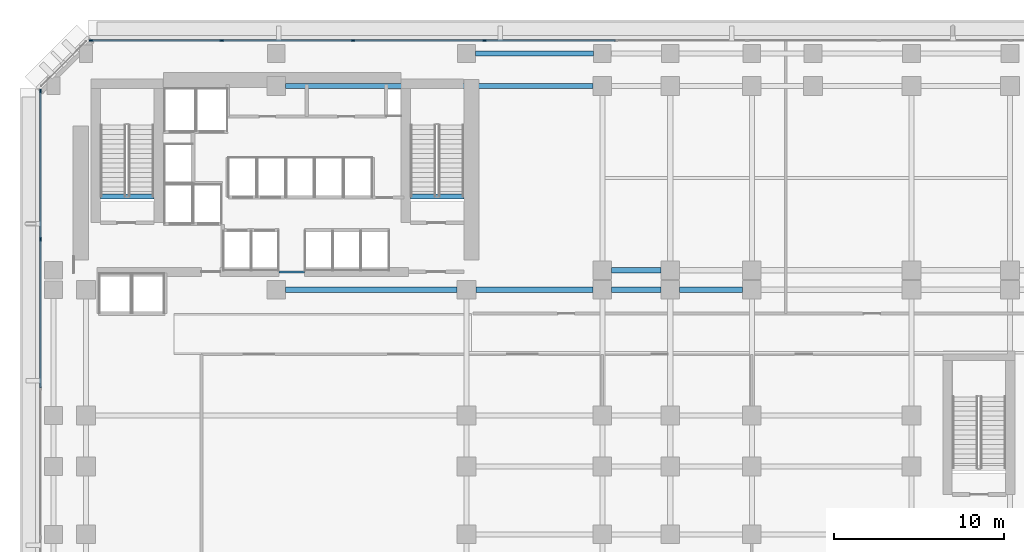
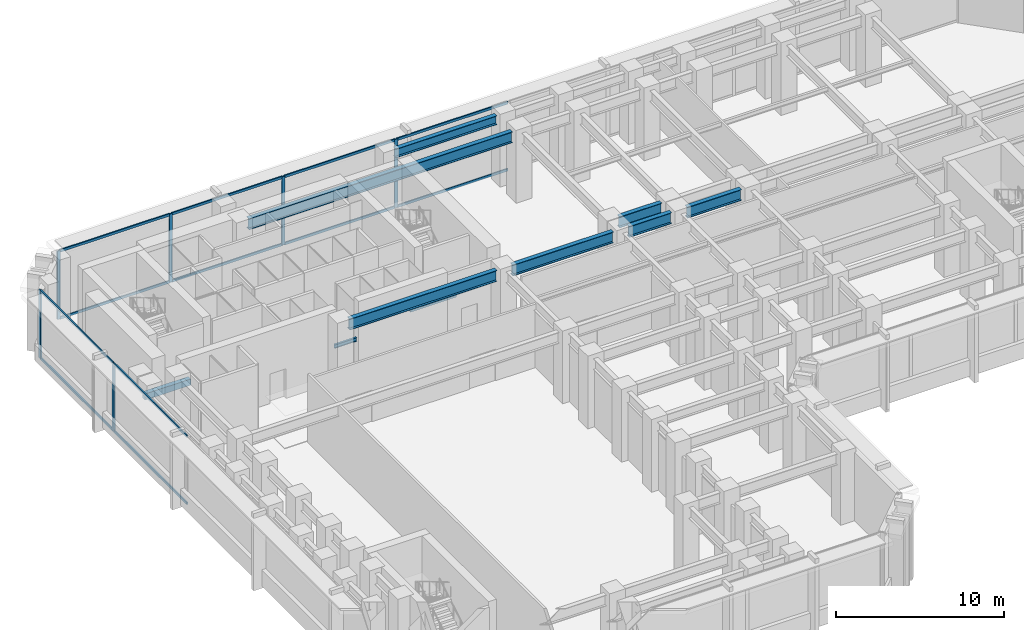
# One storey, part 4 of 16: 18 members, 10 beams, 2 elements without a shape of their own.
"""IFC4 building model written with IfcOpenShell, lengths in metres."""

import ifcopenshell
import ifcopenshell.guid

model = None  # the IFC model being written
_history = None  # IfcOwnerHistory: only IFC2X3 demands one
_inside = {}  # id of a spatial element -> (the spatial element, [elements in it])
_under = {}  # id of a project, library or spatial element -> (it, [spatial elements below it])
_declared = {}  # id of a project -> (the project, [libraries it declares])
_typed = {}  # id of a type object -> (the type object, [elements of that type])
_made_of = {}  # id of a material, layer set ... -> (it, [elements and type objects made of it])


def new_model(schema):
    """Start an empty IFC model of exactly this schema.

    Asked for "IFC4X3", IfcOpenShell would pick the latest addendum, in which some entities
    have other attributes; the version numbers below select the first issue.
    IFC2X3 requires an IfcOwnerHistory on every rooted entity: one is made here for all.
    """
    global model, _history
    if schema == "IFC4X3":
        model = ifcopenshell.file(schema_version=(4, 3, 0, 0))
    else:
        model = ifcopenshell.file(schema=schema)
    _inside.clear()
    _under.clear()
    _declared.clear()
    _typed.clear()
    _made_of.clear()
    _history = None
    if model.schema == "IFC2X3":
        org = make("IfcOrganization", Name="unknown")
        user = make(
            "IfcPersonAndOrganization",
            ThePerson=make("IfcPerson", FamilyName="unknown"),
            TheOrganization=org,
        )
        app = make(
            "IfcApplication",
            ApplicationDeveloper=org,
            Version="unknown",
            ApplicationFullName="unknown",
            ApplicationIdentifier="unknown",
        )
        _history = make(
            "IfcOwnerHistory",
            OwningUser=user,
            OwningApplication=app,
            ChangeAction="ADDED",
            CreationDate=0,
        )
    return model


def make(cls, **values):
    """One entity of the class cls with the attributes given. An attribute that is None is left unset."""
    return model.create_entity(
        cls, **{name: value for name, value in values.items() if value is not None}
    )


def rooted(cls, **values):
    """An entity with a GlobalId (a new one), such as an element, a storey or a relation."""
    return make(cls, GlobalId=ifcopenshell.guid.new(), OwnerHistory=_history, **values)


def si_unit(unit_type, name, prefix=None):
    """IfcSIUnit, for example si_unit("LENGTHUNIT", "METRE", prefix="MILLI")."""
    return make("IfcSIUnit", UnitType=unit_type, Prefix=prefix, Name=name)


def assignment(units):
    """IfcUnitAssignment: the units of a project."""
    return None if units is None else make("IfcUnitAssignment", Units=units)


def point(xyz):
    """IfcCartesianPoint."""
    return None if xyz is None else make("IfcCartesianPoint", Coordinates=xyz)


def direction(xyz):
    """IfcDirection."""
    return None if xyz is None else make("IfcDirection", DirectionRatios=xyz)


def frame(location, z_axis=None, x_axis=None):
    """IfcAxis2Placement3D, a coordinate frame: its origin and axes. An axis left out is left unset."""
    return make(
        "IfcAxis2Placement3D",
        Location=point(location),
        Axis=direction(z_axis),
        RefDirection=direction(x_axis),
    )


def frame_2d(location, x_axis=None):
    """IfcAxis2Placement2D, a coordinate frame in the plane: its origin and x axis."""
    return make(
        "IfcAxis2Placement2D", Location=point(location), RefDirection=direction(x_axis)
    )


def origin():
    """The frame at (0, 0, 0) with its axes left unset."""
    return frame((0.0, 0.0, 0.0))


def origin_2d():
    """The frame at (0, 0) in the plane with its x axis left unset."""
    return frame_2d((0.0, 0.0))


def place(relative_to, where):
    """IfcLocalPlacement: puts the frame where relative to a parent placement (None: the world)."""
    return make(
        "IfcLocalPlacement", PlacementRelTo=relative_to, RelativePlacement=where
    )


def context(
    kind, dimensions, precision=None, world=None, true_north=None, identifier=None
):
    """IfcGeometricRepresentationContext, for example the 3D "Model" context."""
    return make(
        "IfcGeometricRepresentationContext",
        ContextIdentifier=identifier,
        ContextType=kind,
        CoordinateSpaceDimension=dimensions,
        Precision=precision,
        WorldCoordinateSystem=world,
        TrueNorth=true_north,
    )


def subcontext(parent, identifier, kind, view, scale=None):
    """IfcGeometricRepresentationSubContext, for example "Body" below "Model"."""
    return make(
        "IfcGeometricRepresentationSubContext",
        ContextIdentifier=identifier,
        ContextType=kind,
        ParentContext=parent,
        TargetScale=scale,
        TargetView=view,
    )


def project(units=None, contexts=None):
    """IfcProject with its units and contexts."""
    return rooted(
        "IfcProject",
        Name="project",
        RepresentationContexts=contexts,
        UnitsInContext=assignment(units),
    )


def spatial(cls, under=None, at=None, **own):
    """A site, building, storey or space (cls), placed at a placement, below another one or the project."""
    s = rooted(cls, ObjectPlacement=at, **own)
    if under is not None:
        _under.setdefault(under.id(), (under, []))[1].append(s)
    return s


def profile(cls, at=None, kind="AREA", **sizes):
    """A parametric profile (cls). Its sizes go by their IFC names, for example OverallWidth=200.0."""
    return make(cls, ProfileType=kind, Position=at, **sizes)


def rectangle(**sizes):
    """IfcRectangleProfileDef."""
    return profile("IfcRectangleProfileDef", **sizes)


def i_section(**sizes):
    """IfcIShapeProfileDef."""
    return profile("IfcIShapeProfileDef", **sizes)


def extrude(swept, where, along, depth):
    """IfcExtrudedAreaSolid: the profile swept, set in the frame where, extruded along a direction by depth."""
    return make(
        "IfcExtrudedAreaSolid",
        SweptArea=swept,
        Position=where,
        ExtrudedDirection=direction(along),
        Depth=depth,
    )


def shape(context_of_items, identifier, shape_type, items):
    """IfcShapeRepresentation: the items that make up one representation, for example the "Body"."""
    return make(
        "IfcShapeRepresentation",
        ContextOfItems=context_of_items,
        RepresentationIdentifier=identifier,
        RepresentationType=shape_type,
        Items=items,
    )


def material(Name=None, Category=None):
    """IfcMaterial."""
    return make("IfcMaterial", Name=Name, Category=Category)


def layer(
    of_material, thickness, ventilated=None, Name=None, Category=None, Priority=None
):
    """IfcMaterialLayer: one layer of a wall or slab, of a material (None: an air gap)."""
    return make(
        "IfcMaterialLayer",
        Material=of_material,
        LayerThickness=thickness,
        IsVentilated=ventilated,
        Name=Name,
        Category=Category,
        Priority=Priority,
    )


def layer_set(layers, Name=None):
    """IfcMaterialLayerSet."""
    return make("IfcMaterialLayerSet", MaterialLayers=layers, LayerSetName=Name)


def material_profile(
    of_material, cross_section, Name=None, Category=None, Priority=None
):
    """IfcMaterialProfile: a cross section and its material."""
    return make(
        "IfcMaterialProfile",
        Name=Name,
        Material=of_material,
        Profile=cross_section,
        Priority=Priority,
        Category=Category,
    )


def profile_set(profiles, Name=None, composite=None):
    """IfcMaterialProfileSet."""
    return make(
        "IfcMaterialProfileSet",
        Name=Name,
        MaterialProfiles=profiles,
        CompositeProfile=composite,
    )


def made_of(thing, what):
    """Note that an element or type object is made of a material, layer set ...; save() writes the relation."""
    if what is not None:
        _made_of.setdefault(what.id(), (what, []))[1].append(thing)
    return thing


def type_object(cls, material=None, **own):
    """A type object (cls), such as IfcWallType, which elements share."""
    return made_of(rooted(cls, **own), material)


def element(
    cls,
    number,
    at=None,
    inside=None,
    cuts=None,
    type_object=None,
    material=None,
    context=None,
    identifier="Body",
    shape_type=None,
    held_by="IfcProductDefinitionShape",
    body=None,
    shapes=None,
    **own,
):
    """One element of the class cls, such as IfcWall. Its Tag is "e" and its number.

    at: its placement. inside: the storey or other place that contains it. cuts: it is an
    opening in that element (IfcRelVoidsElement). A single representation is given by context,
    identifier, shape_type and body (its items); several are given by shapes. held_by: the class
    of the entity that holds the representations. save() writes the other relations.
    """
    e = rooted(cls, Tag="e%d" % number, ObjectPlacement=at, **own)
    if body is not None:
        shapes = [shape(context, identifier, shape_type, body)]
    if shapes is not None:
        e.Representation = make(held_by, Representations=shapes)
    if inside is not None:
        _inside.setdefault(inside.id(), (inside, []))[1].append(e)
    if cuts is not None:
        rooted(
            "IfcRelVoidsElement", RelatingBuildingElement=cuts, RelatedOpeningElement=e
        )
    if type_object is not None:
        _typed.setdefault(type_object.id(), (type_object, []))[1].append(e)
    return made_of(e, material)


def aggregate(whole, parts):
    """IfcRelAggregates: a whole, such as a stair, and the parts it consists of."""
    return rooted("IfcRelAggregates", RelatingObject=whole, RelatedObjects=parts)


def save(model, path):
    """Write the relations noted so far, then the file.

    IfcRelAggregates (storeys below a building ...), IfcRelContainedInSpatialStructure (elements
    in a storey), IfcRelDefinesByType, IfcRelAssociatesMaterial and IfcRelDeclares: one each for
    every whole, place, type object, material and project.
    """
    for whole, parts in _under.values():
        aggregate(whole, parts)
    for where, things in _inside.values():
        rooted(
            "IfcRelContainedInSpatialStructure",
            RelatedElements=things,
            RelatingStructure=where,
        )
    for kind, things in _typed.values():
        rooted("IfcRelDefinesByType", RelatedObjects=things, RelatingType=kind)
    for what, things in _made_of.values():
        rooted("IfcRelAssociatesMaterial", RelatedObjects=things, RelatingMaterial=what)
    for by, libraries in _declared.values():
        rooted("IfcRelDeclares", RelatingContext=by, RelatedDefinitions=libraries)
    model.write(path)


model = new_model("IFC4")

# Units and contexts
model_context = context("Model", 3, precision=1e-05, world=origin(), true_north=direction((0.0, 1.0)))
body_context = subcontext(model_context, "Body", "Model", "MODEL_VIEW")
ifc_project = project(units=[si_unit("LENGTHUNIT", "METRE"), si_unit("AREAUNIT", "SQUARE_METRE"), si_unit("VOLUMEUNIT", "CUBIC_METRE"), si_unit("PLANEANGLEUNIT", "RADIAN"), si_unit("MASSUNIT", "GRAM", prefix="KILO")], contexts=[model_context])

# Site, building, storey
site_placement = place(None, origin())
site = spatial("IfcSite", under=ifc_project, at=site_placement, CompositionType="ELEMENT")
building_placement = place(site_placement, origin())
building = spatial("IfcBuilding", under=site, at=building_placement, Name="Kefirva Bronze Tower", CompositionType="ELEMENT")
storey_placement = place(building_placement, frame((0.0, 0.0, 11.219970703125)))
storey = spatial("IfcBuildingStorey", under=building, at=storey_placement, Name="L02", CompositionType="ELEMENT", Elevation=11.219970703125)

# Curtain wall, members
ifc_material_1 = material(Name="Bronze anodised aluminium", Category="aluminium")
ifc_layer = layer(ifc_material_1, 0.239990234375, Name="Bronze anodised aluminium")
ifc_layer_set = layer_set([ifc_layer], Name="Bronze anodised aluminium")
curtain_wall_type = type_object("IfcCurtainWallType", Name="Podium Double-Height Glazed Curtain Wall", PredefinedType="USERDEFINED", material=ifc_layer_set)
curtain_wall_1_placement = place(storey_placement, origin())
curtain_wall_1 = element("IfcCurtainWall", 1, at=curtain_wall_1_placement, inside=storey, type_object=curtain_wall_type, Name="L02 Curtain Wall 3", ObjectType="UNITISED CURTAIN WALL", PredefinedType="USERDEFINED")
ifc_material_profile_1 = material_profile(ifc_material_1, rectangle(XDim=0.090087890625, YDim=0.219970703125, at=origin_2d()), Name="ALU 90x220")
ifc_profile_set_1 = profile_set([ifc_material_profile_1], Name="Bronze anodised aluminium")
member_type_1 = type_object("IfcMemberType", Name="Bronze Mullion 90x220", PredefinedType="MULLION", material=ifc_profile_set_1)
member_1_placement = place(storey_placement, frame((24.263671875, 47.8798828125, 0.0), z_axis=(0.0, 0.0, 1.0), x_axis=(0.0, -1.0, 0.0)))
member_1 = element("IfcMember", 2, at=member_1_placement, type_object=member_type_1, Name="CW-05 mullion 6", PredefinedType="MULLION", context=body_context, shape_type="SweptSolid", body=[
    extrude(rectangle(XDim=0.090087890625, YDim=0.219970703125, at=origin_2d()), origin(), (0.0, 0.0, 1.0), 4.9599609375),
])
member_2_placement = place(storey_placement, frame((16.527587890625, 47.8798828125, 0.0), z_axis=(0.0, 0.0, 1.0), x_axis=(0.0, -1.0, 0.0)))
member_2 = element("IfcMember", 3, at=member_2_placement, type_object=member_type_1, Name="CW-05 mullion 7", PredefinedType="MULLION", context=body_context, shape_type="SweptSolid", body=[
    extrude(rectangle(XDim=0.090087890625, YDim=0.219970703125, at=origin_2d()), origin(), (0.0, 0.0, 1.0), 4.9599609375),
])
member_3_placement = place(storey_placement, frame((8.791259765625, 47.8798828125, 0.0), z_axis=(0.0, 0.0, 1.0), x_axis=(0.0, -1.0, 0.0)))
member_3 = element("IfcMember", 4, at=member_3_placement, type_object=member_type_1, Name="CW-05 mullion 8", PredefinedType="MULLION", context=body_context, shape_type="SweptSolid", body=[
    extrude(rectangle(XDim=0.090087890625, YDim=0.219970703125, at=origin_2d()), origin(), (0.0, 0.0, 1.0), 4.9599609375),
])
member_4_placement = place(storey_placement, frame((1.10009765625, 47.8798828125, 0.0), z_axis=(0.0, 0.0, 1.0), x_axis=(0.0, -1.0, 0.0)))
member_4 = element("IfcMember", 5, at=member_4_placement, type_object=member_type_1, Name="CW-05 mullion 9", PredefinedType="MULLION", context=body_context, shape_type="SweptSolid", body=[
    extrude(rectangle(XDim=0.090087890625, YDim=0.219970703125, at=origin_2d()), origin(), (0.0, 0.0, 1.0), 4.9599609375),
])

curtain_wall_2_placement = place(storey_placement, origin())
curtain_wall_2 = element("IfcCurtainWall", 6, at=curtain_wall_2_placement, inside=storey, type_object=curtain_wall_type, Name="L02 Curtain Wall 4", ObjectType="UNITISED CURTAIN WALL", PredefinedType="USERDEFINED")
member_5_placement = place(storey_placement, frame((-1.8798828125, 44.89990234375, 0.0), z_axis=(0.0, 0.0, 1.0), x_axis=(1.0, 0.0, 0.0)))
member_5 = element("IfcMember", 7, at=member_5_placement, type_object=member_type_1, Name="CW-05 mullion 1", PredefinedType="MULLION", context=body_context, shape_type="SweptSolid", body=[
    extrude(rectangle(XDim=0.090087890625, YDim=0.219970703125, at=origin_2d()), origin(), (0.0, 0.0, 1.0), 4.9599609375),
])
member_6_placement = place(storey_placement, frame((-1.8798828125, 36.1669921875, 0.0), z_axis=(0.0, 0.0, 1.0), x_axis=(1.0, 0.0, 0.0)))
member_6 = element("IfcMember", 8, at=member_6_placement, type_object=member_type_1, Name="CW-05 mullion 2", PredefinedType="MULLION", context=body_context, shape_type="SweptSolid", body=[
    extrude(rectangle(XDim=0.090087890625, YDim=0.219970703125, at=origin_2d()), origin(), (0.0, 0.0, 1.0), 4.9599609375),
])

# Member
ifc_material_profile_2 = material_profile(ifc_material_1, rectangle(XDim=0.090087890625, YDim=0.179931640625, at=origin_2d()), Name="ALU 90x180")
ifc_profile_set_2 = profile_set([ifc_material_profile_2], Name="Bronze anodised aluminium")
member_type_2 = type_object("IfcMemberType", Name="Bronze Transom 90x180", PredefinedType="USERDEFINED", material=ifc_profile_set_2)
member_7_placement = place(storey_placement, frame((31.955078125, 47.8798828125, 0.044921875), z_axis=(-1.0, 0.0, 0.0), x_axis=(0.0, -1.0, 0.0)))
member_7 = element("IfcMember", 9, at=member_7_placement, type_object=member_type_2, Name="CW-05 transom 5.1", ObjectType="TRANSOM", PredefinedType="USERDEFINED", context=body_context, shape_type="SweptSolid", body=[
    extrude(rectangle(XDim=0.090087890625, YDim=0.179931640625, at=origin_2d()), origin(), (0.0, 0.0, 1.0), 7.646240234375),
])

member_8_placement = place(storey_placement, frame((31.955078125, 47.8798828125, 4.9150390625), z_axis=(-1.0, 0.0, 0.0), x_axis=(0.0, -1.0, 0.0)))
member_8 = element("IfcMember", 10, at=member_8_placement, type_object=member_type_2, Name="CW-05 transom 5.2", ObjectType="TRANSOM", PredefinedType="USERDEFINED", context=body_context, shape_type="SweptSolid", body=[
    extrude(rectangle(XDim=0.090087890625, YDim=0.179931640625, at=origin_2d()), origin(), (0.0, 0.0, 1.0), 7.646240234375),
])

member_9_placement = place(storey_placement, frame((24.21875, 47.8798828125, 0.044921875), z_axis=(-1.0, 0.0, 0.0), x_axis=(0.0, -1.0, 0.0)))
member_9 = element("IfcMember", 11, at=member_9_placement, type_object=member_type_2, Name="CW-05 transom 6.1", ObjectType="TRANSOM", PredefinedType="USERDEFINED", context=body_context, shape_type="SweptSolid", body=[
    extrude(rectangle(XDim=0.090087890625, YDim=0.179931640625, at=origin_2d()), origin(), (0.0, 0.0, 1.0), 7.646240234375),
])

member_10_placement = place(storey_placement, frame((24.21875, 47.8798828125, 4.9150390625), z_axis=(-1.0, 0.0, 0.0), x_axis=(0.0, -1.0, 0.0)))
member_10 = element("IfcMember", 12, at=member_10_placement, type_object=member_type_2, Name="CW-05 transom 6.2", ObjectType="TRANSOM", PredefinedType="USERDEFINED", context=body_context, shape_type="SweptSolid", body=[
    extrude(rectangle(XDim=0.090087890625, YDim=0.179931640625, at=origin_2d()), origin(), (0.0, 0.0, 1.0), 7.646240234375),
])

member_11_placement = place(storey_placement, frame((16.482421875, 47.8798828125, 0.044921875), z_axis=(-1.0, 0.0, 0.0), x_axis=(0.0, -1.0, 0.0)))
member_11 = element("IfcMember", 13, at=member_11_placement, type_object=member_type_2, Name="CW-05 transom 7.1", ObjectType="TRANSOM", PredefinedType="USERDEFINED", context=body_context, shape_type="SweptSolid", body=[
    extrude(rectangle(XDim=0.090087890625, YDim=0.179931640625, at=origin_2d()), origin(), (0.0, 0.0, 1.0), 7.646240234375),
])

member_12_placement = place(storey_placement, frame((16.482421875, 47.8798828125, 4.9150390625), z_axis=(-1.0, 0.0, 0.0), x_axis=(0.0, -1.0, 0.0)))
member_12 = element("IfcMember", 14, at=member_12_placement, type_object=member_type_2, Name="CW-05 transom 7.2", ObjectType="TRANSOM", PredefinedType="USERDEFINED", context=body_context, shape_type="SweptSolid", body=[
    extrude(rectangle(XDim=0.090087890625, YDim=0.179931640625, at=origin_2d()), origin(), (0.0, 0.0, 1.0), 7.646240234375),
])

member_13_placement = place(storey_placement, frame((8.746337890625, 47.8798828125, 0.044921875), z_axis=(-1.0, 0.0, 0.0), x_axis=(0.0, -1.0, 0.0)))
member_13 = element("IfcMember", 15, at=member_13_placement, type_object=member_type_2, Name="CW-05 transom 8.1", ObjectType="TRANSOM", PredefinedType="USERDEFINED", context=body_context, shape_type="SweptSolid", body=[
    extrude(rectangle(XDim=0.090087890625, YDim=0.179931640625, at=origin_2d()), origin(), (0.0, 0.0, 1.0), 7.601318359375),
])

member_14_placement = place(storey_placement, frame((8.746337890625, 47.8798828125, 4.9150390625), z_axis=(-1.0, 0.0, 0.0), x_axis=(0.0, -1.0, 0.0)))
member_14 = element("IfcMember", 16, at=member_14_placement, type_object=member_type_2, Name="CW-05 transom 8.2", ObjectType="TRANSOM", PredefinedType="USERDEFINED", context=body_context, shape_type="SweptSolid", body=[
    extrude(rectangle(XDim=0.090087890625, YDim=0.179931640625, at=origin_2d()), origin(), (0.0, 0.0, 1.0), 7.601318359375),
])

aggregate(curtain_wall_1, [member_1, member_2, member_3, member_4, member_7, member_8, member_9, member_10, member_11, member_12, member_13, member_14])

member_15_placement = place(storey_placement, frame((-1.8798828125, 44.85498046875, 0.044921875), z_axis=(0.0, -1.0, 0.0), x_axis=(1.0, 0.0, 0.0)))
member_15 = element("IfcMember", 17, at=member_15_placement, type_object=member_type_2, Name="CW-05 transom 1.1", ObjectType="TRANSOM", PredefinedType="USERDEFINED", context=body_context, shape_type="SweptSolid", body=[
    extrude(rectangle(XDim=0.090087890625, YDim=0.179931640625, at=origin_2d()), origin(), (0.0, 0.0, 1.0), 8.64306640625),
])

member_16_placement = place(storey_placement, frame((-1.8798828125, 44.85498046875, 4.9150390625), z_axis=(0.0, -1.0, 0.0), x_axis=(1.0, 0.0, 0.0)))
member_16 = element("IfcMember", 18, at=member_16_placement, type_object=member_type_2, Name="CW-05 transom 1.2", ObjectType="TRANSOM", PredefinedType="USERDEFINED", context=body_context, shape_type="SweptSolid", body=[
    extrude(rectangle(XDim=0.090087890625, YDim=0.179931640625, at=origin_2d()), origin(), (0.0, 0.0, 1.0), 8.64306640625),
])

member_17_placement = place(storey_placement, frame((-1.8798828125, 36.1220703125, 0.044921875), z_axis=(0.0, -1.0, 0.0), x_axis=(1.0, 0.0, 0.0)))
member_17 = element("IfcMember", 19, at=member_17_placement, type_object=member_type_2, Name="CW-05 transom 2.1", ObjectType="TRANSOM", PredefinedType="USERDEFINED", context=body_context, shape_type="SweptSolid", body=[
    extrude(rectangle(XDim=0.090087890625, YDim=0.179931640625, at=origin_2d()), origin(), (0.0, 0.0, 1.0), 8.68798828125),
])

member_18_placement = place(storey_placement, frame((-1.8798828125, 36.1220703125, 4.9150390625), z_axis=(0.0, -1.0, 0.0), x_axis=(1.0, 0.0, 0.0)))
member_18 = element("IfcMember", 20, at=member_18_placement, type_object=member_type_2, Name="CW-05 transom 2.2", ObjectType="TRANSOM", PredefinedType="USERDEFINED", context=body_context, shape_type="SweptSolid", body=[
    extrude(rectangle(XDim=0.090087890625, YDim=0.179931640625, at=origin_2d()), origin(), (0.0, 0.0, 1.0), 8.68798828125),
])

aggregate(curtain_wall_2, [member_5, member_6, member_15, member_16, member_17, member_18])

# Beams
ifc_material_2 = material(Name="Concrete C50/60", Category="concrete")
ifc_material_profile_3 = material_profile(ifc_material_2, rectangle(XDim=0.300048828125, YDim=0.449951171875, at=origin_2d()), Name="RC 300x450")
ifc_profile_set_3 = profile_set([ifc_material_profile_3], Name="Concrete C50/60")
beam_type_1 = type_object("IfcBeamType", Name="RC Stair Trimmer Beam 300x450", PredefinedType="BEAM", material=ifc_profile_set_3)
beam_1_placement = place(storey_placement, frame((1.64501953125, 38.699951171875, -0.224853515625), z_axis=(1.0, 0.0, 0.0), x_axis=(0.0, 1.0, 0.0)))
element("IfcBeam", 21, at=beam_1_placement, inside=storey, type_object=beam_type_1, Name="L02 Stair 1 Landing Trimmer Beam", PredefinedType="BEAM", context=body_context, shape_type="SweptSolid", body=[
    extrude(rectangle(XDim=0.300048828125, YDim=0.449951171875, at=origin_2d()), origin(), (0.0, 0.0, 1.0), 3.14990234375),
])
beam_2_placement = place(storey_placement, frame((19.89501953125, 38.699951171875, -0.224853515625), z_axis=(1.0, 0.0, 0.0), x_axis=(0.0, 1.0, 0.0)))
element("IfcBeam", 22, at=beam_2_placement, inside=storey, type_object=beam_type_1, Name="L02 Stair 2 Landing Trimmer Beam", PredefinedType="BEAM", context=body_context, shape_type="SweptSolid", body=[
    extrude(rectangle(XDim=0.300048828125, YDim=0.449951171875, at=origin_2d()), origin(), (0.0, 0.0, 1.0), 3.159912109375),
])
ifc_material_3 = material(Name="Steel S355", Category="steel")
ifc_material_profile_4 = material_profile(ifc_material_3, i_section(OverallWidth=0.300048828125, OverallDepth=0.800048828125, WebThickness=0.017578125, FlangeThickness=0.032958984375, at=origin_2d()), Name="HEB 800")
ifc_profile_set_4 = profile_set([ifc_material_profile_4], Name="Steel S355")
beam_type_2 = type_object("IfcBeamType", Name="Steel Girder HEB 800", PredefinedType="USERDEFINED", material=ifc_profile_set_4)
beam_3_placement = place(storey_placement, frame((12.550048828125, 33.199951171875, 4.56005859375), z_axis=(1.0, 0.0, 0.0), x_axis=(0.0, 1.0, 0.0)))
element("IfcBeam", 23, at=beam_3_placement, inside=storey, type_object=beam_type_2, Name="L02 BM-L02-EW-12-332", ObjectType="GIRDER", PredefinedType="USERDEFINED", context=body_context, shape_type="SweptSolid", body=[
    extrude(i_section(OverallWidth=0.300048828125, OverallDepth=0.800048828125, WebThickness=0.017578125, FlangeThickness=0.032958984375, at=origin_2d()), origin(), (0.0, 0.0, 1.0), 10.099853515625),
])
beam_4_placement = place(storey_placement, frame((23.75, 33.199951171875, 4.56005859375), z_axis=(1.0, 0.0, 0.0), x_axis=(0.0, 1.0, 0.0)))
element("IfcBeam", 24, at=beam_4_placement, inside=storey, type_object=beam_type_2, Name="L02 BM-L02-EW-23-332", ObjectType="GIRDER", PredefinedType="USERDEFINED", context=body_context, shape_type="SweptSolid", body=[
    extrude(i_section(OverallWidth=0.300048828125, OverallDepth=0.800048828125, WebThickness=0.017578125, FlangeThickness=0.032958984375, at=origin_2d()), origin(), (0.0, 0.0, 1.0), 6.89990234375),
])
beam_5_placement = place(storey_placement, frame((31.75, 33.199951171875, 4.56005859375), z_axis=(1.0, 0.0, 0.0), x_axis=(0.0, 1.0, 0.0)))
element("IfcBeam", 25, at=beam_5_placement, inside=storey, type_object=beam_type_2, Name="L02 BM-L02-EW-31-332", ObjectType="GIRDER", PredefinedType="USERDEFINED", context=body_context, shape_type="SweptSolid", body=[
    extrude(i_section(OverallWidth=0.300048828125, OverallDepth=0.800048828125, WebThickness=0.017578125, FlangeThickness=0.032958984375, at=origin_2d()), origin(), (0.0, 0.0, 1.0), 2.89990234375),
])
beam_6_placement = place(storey_placement, frame((35.75, 33.199951171875, 4.56005859375), z_axis=(1.0, 0.0, 0.0), x_axis=(0.0, 1.0, 0.0)))
element("IfcBeam", 26, at=beam_6_placement, inside=storey, type_object=beam_type_2, Name="L02 BM-L02-EW-35-332", ObjectType="GIRDER", PredefinedType="USERDEFINED", context=body_context, shape_type="SweptSolid", body=[
    extrude(i_section(OverallWidth=0.300048828125, OverallDepth=0.800048828125, WebThickness=0.017578125, FlangeThickness=0.032958984375, at=origin_2d()), origin(), (0.0, 0.0, 1.0), 3.699951171875),
])
beam_7_placement = place(storey_placement, frame((31.75, 34.35009765625, 4.56005859375), z_axis=(1.0, 0.0, 0.0), x_axis=(0.0, 1.0, 0.0)))
element("IfcBeam", 27, at=beam_7_placement, inside=storey, type_object=beam_type_2, Name="L02 BM-L02-EW-31-344", ObjectType="GIRDER", PredefinedType="USERDEFINED", context=body_context, shape_type="SweptSolid", body=[
    extrude(i_section(OverallWidth=0.300048828125, OverallDepth=0.800048828125, WebThickness=0.017578125, FlangeThickness=0.032958984375, at=origin_2d()), origin(), (0.0, 0.0, 1.0), 2.89990234375),
])
beam_8_placement = place(storey_placement, frame((12.550048828125, 45.199951171875, 4.56005859375), z_axis=(1.0, 0.0, 0.0), x_axis=(0.0, 1.0, 0.0)))
element("IfcBeam", 28, at=beam_8_placement, inside=storey, type_object=beam_type_2, Name="L02 BM-L02-EW-12-452", ObjectType="GIRDER", PredefinedType="USERDEFINED", context=body_context, shape_type="SweptSolid", body=[
    extrude(i_section(OverallWidth=0.300048828125, OverallDepth=0.800048828125, WebThickness=0.017578125, FlangeThickness=0.032958984375, at=origin_2d()), origin(), (0.0, 0.0, 1.0), 18.099853515625),
])
ifc_material_profile_5 = material_profile(ifc_material_3, i_section(OverallWidth=0.135009765625, OverallDepth=0.27001953125, WebThickness=0.006591796875, FlangeThickness=0.01025390625, at=origin_2d()), Name="IPE 270")
ifc_profile_set_5 = profile_set([ifc_material_profile_5], Name="Steel S355")
beam_type_3 = type_object("IfcBeamType", Name="Steel Opening Lintel IPE 270", PredefinedType="LINTEL", material=ifc_profile_set_5)
beam_9_placement = place(storey_placement, frame((12.159912109375, 34.25, 2.400146484375), z_axis=(1.0, 0.0, 0.0), x_axis=(0.0, 1.0, 0.0)))
element("IfcBeam", 29, at=beam_9_placement, inside=storey, type_object=beam_type_3, Name="L02 Core Lobby Lintel", PredefinedType="LINTEL", context=body_context, shape_type="SweptSolid", body=[
    extrude(i_section(OverallWidth=0.135009765625, OverallDepth=0.27001953125, WebThickness=0.006591796875, FlangeThickness=0.01025390625, at=origin_2d()), origin(), (0.0, 0.0, 1.0), 1.52001953125),
])
ifc_material_profile_6 = material_profile(ifc_material_3, i_section(OverallWidth=0.300048828125, OverallDepth=0.64990234375, WebThickness=0.01611328125, FlangeThickness=0.031005859375, at=origin_2d()), Name="HEB 650")
ifc_profile_set_6 = profile_set([ifc_material_profile_6], Name="Steel S355")
beam_type_4 = type_object("IfcBeamType", Name="Steel Spandrel HEB 650 Ext", PredefinedType="SPANDREL", material=ifc_profile_set_6)
beam_10_placement = place(storey_placement, frame((23.72509765625, 47.10009765625, 4.635009765625), z_axis=(1.0, 0.0, 0.0), x_axis=(0.0, 1.0, 0.0)))
element("IfcBeam", 30, at=beam_10_placement, inside=storey, type_object=beam_type_4, Name="L02 BM-L02-EW-23-471", PredefinedType="SPANDREL", context=body_context, shape_type="SweptSolid", body=[
    extrude(i_section(OverallWidth=0.300048828125, OverallDepth=0.64990234375, WebThickness=0.01611328125, FlangeThickness=0.031005859375, at=origin_2d()), origin(), (0.0, 0.0, 1.0), 6.949951171875),
])

save(model, "model.ifc")
